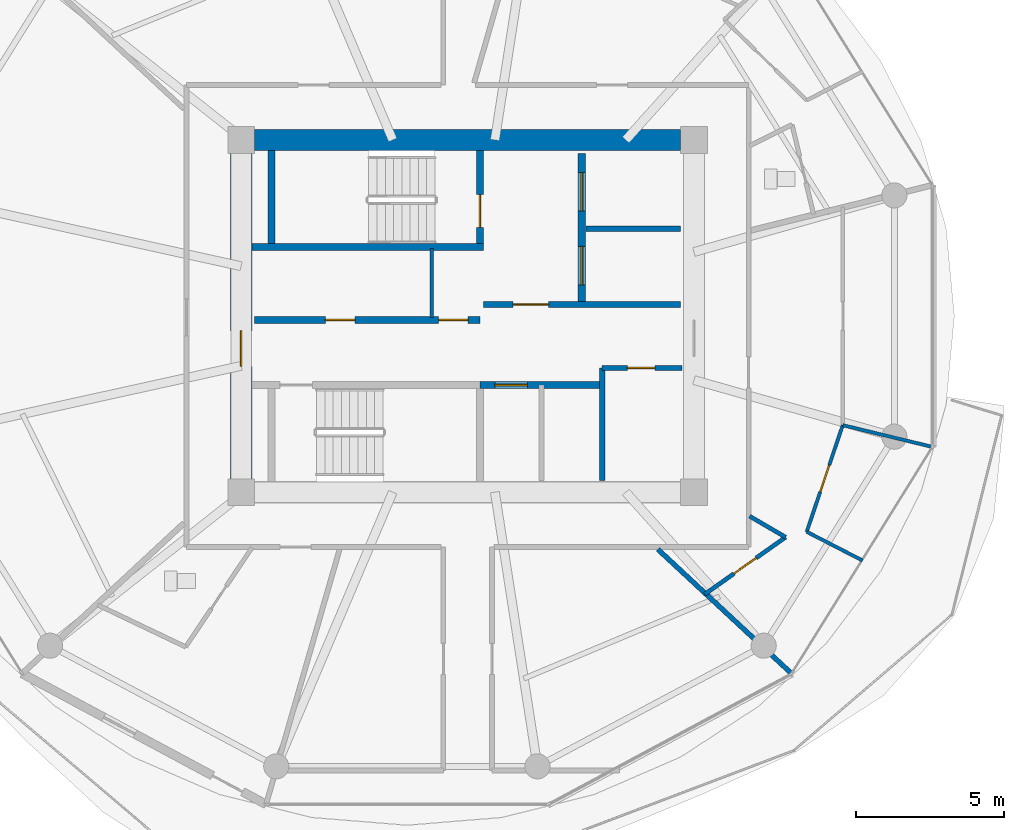
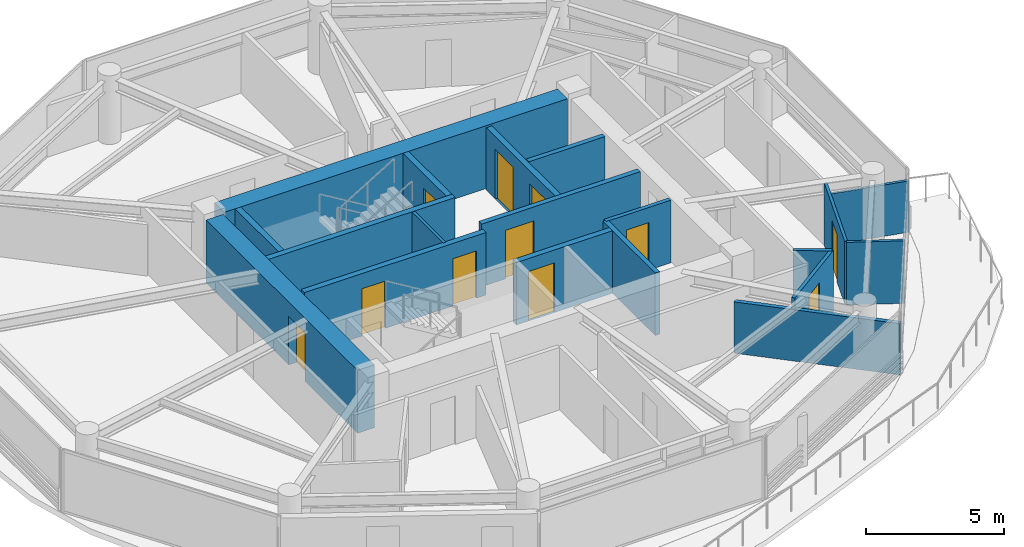
# One storey, part 16 of 25: 19 walls, 11 doors, 11 openings.
"""IFC4 building model written with IfcOpenShell, lengths in metres."""

from ifc_helpers import new_model, si_unit, direction, frame, frame_2d, origin, place, context, subcontext, project, spatial, rectangle, extrude, source, transform, mapped, material, layer, layer_set, type_object, type_shapes, element, fill, save


model = new_model("IFC4")

# Units and contexts
model_context = context("Model", 3, precision=1e-05, world=origin(), true_north=direction((0.0, 1.0)))
body_context = subcontext(model_context, "Body", "Model", "MODEL_VIEW")
ifc_project = project(units=[si_unit("LENGTHUNIT", "METRE"), si_unit("AREAUNIT", "SQUARE_METRE"), si_unit("VOLUMEUNIT", "CUBIC_METRE"), si_unit("PLANEANGLEUNIT", "RADIAN"), si_unit("MASSUNIT", "GRAM", prefix="KILO")], contexts=[model_context])

# Site, building, storey
site_placement = place(None, origin())
site = spatial("IfcSite", under=ifc_project, at=site_placement, CompositionType="ELEMENT")
building_placement = place(site_placement, origin())
building = spatial("IfcBuilding", under=site, at=building_placement, Name="Norrkilde Senior Care Towers", CompositionType="ELEMENT")
storey_placement = place(building_placement, frame((0.0, 0.0, 84.050048828125)))
storey = spatial("IfcBuildingStorey", under=building, at=storey_placement, Name="L25", CompositionType="ELEMENT", Elevation=84.050048828125)

# Wall
ifc_material_1 = material(Name="Concrete C60/75", Category="concrete")
ifc_layer_1 = layer(ifc_material_1, 0.719970703125)
ifc_layer_set_1 = layer_set([ifc_layer_1], Name="Concrete C60/75")
wall_type_1 = type_object("IfcWallType", Name="Core Shear Wall Z2 720", PredefinedType="SHEAR", material=ifc_layer_set_1)
shared_shape_1 = source(origin(), body_context, "Body", "SweptSolid", [
    extrude(rectangle(XDim=14.39990234375, YDim=0.719970703125, at=frame_2d((7.199951171875, 0.0))), origin(), (0.0, 0.0, 1.0), 2.7900390625),
])
wall_1_placement = place(storey_placement, frame((20.800048828125, 5.949951171875, 0.0), z_axis=(0.0, 0.0, 1.0), x_axis=(1.0, 0.0, 0.0)))
element("IfcWall", 1, at=wall_1_placement, inside=storey, type_object=wall_type_1, Name="L25 Core E North Shear Wall", PredefinedType="SHEAR", context=body_context, shape_type="MappedRepresentation", body=[
    mapped(shared_shape_1, transform((0.0, 0.0, 0.0), x_axis=(1.0, 0.0, 0.0), y_axis=(0.0, 1.0, 0.0), z_axis=(0.0, 0.0, 1.0), scale=1.0)),
])

# Wall, opening, door
shared_shape_2 = source(origin(), body_context, "Body", "SweptSolid", [
    extrude(rectangle(XDim=11.0, YDim=0.719970703125, at=frame_2d((5.5, 0.0))), origin(), (0.0, 0.0, 1.0), 2.7900390625),
])
type_shapes(wall_type_1, [shared_shape_1, shared_shape_2])
wall_2_placement = place(storey_placement, frame((20.35009765625, -5.5, 0.0), z_axis=(0.0, 0.0, 1.0), x_axis=(0.0, 1.0, 0.0)))
wall_2 = element("IfcWall", 2, at=wall_2_placement, inside=storey, type_object=wall_type_1, Name="L25 Core E West Shear Wall", PredefinedType="SHEAR", context=body_context, shape_type="MappedRepresentation", body=[
    mapped(shared_shape_2, transform((0.0, 0.0, 0.0), x_axis=(1.0, 0.0, 0.0), y_axis=(0.0, 1.0, 0.0), z_axis=(0.0, 0.0, 1.0), scale=1.0)),
])
opening_1_placement = place(wall_2_placement, frame((3.800048828125, 0.0, 0.0)))
opening_1 = element("IfcOpeningElement", 3, at=opening_1_placement, cuts=wall_2, Name="Opening D-04", PredefinedType="OPENING", context=body_context, shape_type="SweptSolid", body=[
    extrude(rectangle(XDim=1.199951171875, YDim=2.14990234375, at=frame_2d((0.60009765625, 1.074951171875))), frame((0.0, 0.369873046875, 0.0), z_axis=(0.0, -1.0, 0.0), x_axis=(1.0, 0.0, 0.0)), (0.0, 0.0, 1.0), 0.739990234375),
])
ifc_material_2 = material(Name="Galvanised Painted Steel", Category="steel")
door_type_1 = type_object("IfcDoorType", Name="Firefighting Lobby Fire Door 1200x2150", OperationType="NOTDEFINED", PredefinedType="DOOR", material=ifc_material_2)
shared_shape_3 = source(origin(), body_context, "Body", "SweptSolid", [
    extrude(rectangle(XDim=1.199951171875, YDim=2.14990234375, at=frame_2d((0.60009765625, 1.074951171875))), frame((0.0, 0.02490234375, 0.0), z_axis=(0.0, -1.0, 0.0), x_axis=(1.0, 0.0, 0.0)), (0.0, 0.0, 1.0), 0.050048828125),
])
type_shapes(door_type_1, [shared_shape_3])
door_1_placement = place(opening_1_placement, frame((1.199951171875, 0.0, 0.0), z_axis=(0.0, 0.0, 1.0), x_axis=(-1.0, 0.0, 0.0)))
door_1 = element("IfcDoor", 4, at=door_1_placement, inside=storey, type_object=door_type_1, Name="L25 Core E West Portal Door", OperationType="SINGLE_SWING_LEFT", OverallHeight=2.14990234375, OverallWidth=1.199951171875, PredefinedType="DOOR", context=body_context, shape_type="MappedRepresentation", body=[
    mapped(shared_shape_3, transform((0.0, 0.0, 0.0), x_axis=(1.0, 0.0, 0.0), y_axis=(0.0, 1.0, 0.0), z_axis=(0.0, 0.0, 1.0), scale=1.0)),
])
fill(opening_1, door_1)

# Wall, openings, doors
ifc_material_3 = material(Name="Concrete C45/55", Category="concrete")
ifc_layer_2 = layer(ifc_material_3, 0.239990234375)
ifc_layer_set_2 = layer_set([ifc_layer_2], Name="Concrete C45/55")
wall_type_2 = type_object("IfcWallType", Name="Lift and Plant Rated Enclosure Partition 240", PredefinedType="PARTITIONING", material=ifc_layer_set_2)
shared_shape_4 = source(origin(), body_context, "Body", "SweptSolid", [
    extrude(rectangle(XDim=5.0, YDim=0.239990234375, at=frame_2d((2.5, 0.0))), origin(), (0.0, 0.0, 1.0), 2.77490234375),
])
wall_3_placement = place(storey_placement, frame((31.860107421875, 0.5, 0.0), z_axis=(0.0, 0.0, 1.0), x_axis=(0.0, 1.0, 0.0)))
wall_3 = element("IfcWall", 5, at=wall_3_placement, inside=storey, type_object=wall_type_2, Name="WL-INT-L25-E-FFLE", PredefinedType="PARTITIONING", context=body_context, shape_type="MappedRepresentation", body=[
    mapped(shared_shape_4, transform((0.0, 0.0, 0.0), x_axis=(1.0, 0.0, 0.0), y_axis=(0.0, 1.0, 0.0), z_axis=(0.0, 0.0, 1.0), scale=1.0)),
])
opening_2_placement = place(wall_3_placement, frame((3.050048828125, 0.0, 0.0)))
opening_2 = element("IfcOpeningElement", 6, at=opening_2_placement, cuts=wall_3, Name="Opening LD-02", PredefinedType="OPENING", context=body_context, shape_type="SweptSolid", body=[
    extrude(rectangle(XDim=1.300048828125, YDim=2.199951171875, at=frame_2d((0.64990234375, 1.10009765625))), frame((0.0, 0.1298828125, 0.0), z_axis=(0.0, -1.0, 0.0), x_axis=(1.0, 0.0, 0.0)), (0.0, 0.0, 1.0), 0.260009765625),
])
opening_3_placement = place(wall_3_placement, frame((0.550048828125, 0.0, 0.0)))
opening_3 = element("IfcOpeningElement", 7, at=opening_3_placement, cuts=wall_3, Name="Opening LD-02", PredefinedType="OPENING", context=body_context, shape_type="SweptSolid", body=[
    extrude(rectangle(XDim=1.300048828125, YDim=2.199951171875, at=frame_2d((0.64990234375, 1.10009765625))), frame((0.0, 0.1298828125, 0.0), z_axis=(0.0, -1.0, 0.0), x_axis=(1.0, 0.0, 0.0)), (0.0, 0.0, 1.0), 0.260009765625),
])
ifc_material_4 = material(Name="Stainless Steel", Category="steel")
door_type_2 = type_object("IfcDoorType", Name="Stretcher and FFL Landing Sliding Door 1300x2200", OperationType="NOTDEFINED", PredefinedType="DOOR", material=ifc_material_4)
shared_shape_5 = source(origin(), body_context, "Body", "SweptSolid", [
    extrude(rectangle(XDim=1.300048828125, YDim=2.199951171875, at=frame_2d((0.64990234375, 1.10009765625))), frame((0.0, 0.02490234375, 0.0), z_axis=(0.0, -1.0, 0.0), x_axis=(1.0, 0.0, 0.0)), (0.0, 0.0, 1.0), 0.050048828125),
])
type_shapes(door_type_2, [shared_shape_5])
door_2_placement = place(opening_2_placement, origin())
door_2 = element("IfcDoor", 8, at=door_2_placement, inside=storey, type_object=door_type_2, Name="L25 Firefighting Lift E1 Landing Door", OperationType="SLIDING_TO_LEFT", OverallHeight=2.199951171875, OverallWidth=1.300048828125, PredefinedType="DOOR", context=body_context, shape_type="MappedRepresentation", body=[
    mapped(shared_shape_5, transform((0.0, 0.0, 0.0), x_axis=(1.0, 0.0, 0.0), y_axis=(0.0, 1.0, 0.0), z_axis=(0.0, 0.0, 1.0), scale=1.0)),
])
fill(opening_2, door_2)
door_3_placement = place(opening_3_placement, origin())
door_3 = element("IfcDoor", 9, at=door_3_placement, inside=storey, type_object=door_type_2, Name="L25 Stretcher Lift E1 Landing Door", OperationType="SLIDING_TO_RIGHT", OverallHeight=2.199951171875, OverallWidth=1.300048828125, PredefinedType="DOOR", context=body_context, shape_type="MappedRepresentation", body=[
    mapped(shared_shape_5, transform((0.0, 0.0, 0.0), x_axis=(1.0, 0.0, 0.0), y_axis=(0.0, 1.0, 0.0), z_axis=(0.0, 0.0, 1.0), scale=1.0)),
])
fill(opening_3, door_3)

# Wall
ifc_layer_3 = layer(ifc_material_3, 0.199951171875)
ifc_layer_set_3 = layer_set([ifc_layer_3], Name="Concrete C45/55")
wall_type_3 = type_object("IfcWallType", Name="Shaft Division and Plant Partition 200", PredefinedType="PARTITIONING", material=ifc_layer_set_3)
shared_shape_6 = source(origin(), body_context, "Body", "SweptSolid", [
    extrude(rectangle(XDim=3.199951171875, YDim=0.199951171875, at=frame_2d((1.60009765625, 0.0))), origin(), (0.0, 0.0, 1.0), 2.77490234375),
])
wall_4_placement = place(storey_placement, frame((32.0, 2.949951171875, 0.0), z_axis=(0.0, 0.0, 1.0), x_axis=(1.0, 0.0, 0.0)))
element("IfcWall", 10, at=wall_4_placement, inside=storey, type_object=wall_type_3, Name="WL-INT-L25-E-FFLDIV", PredefinedType="PARTITIONING", context=body_context, shape_type="MappedRepresentation", body=[
    mapped(shared_shape_6, transform((0.0, 0.0, 0.0), x_axis=(1.0, 0.0, 0.0), y_axis=(0.0, 1.0, 0.0), z_axis=(0.0, 0.0, 1.0), scale=1.0)),
])

# Wall, opening, door
ifc_layer_4 = layer(ifc_material_3, 0.2099609375)
ifc_layer_set_4 = layer_set([ifc_layer_4], Name="Concrete C45/55")
wall_type_4 = type_object("IfcWallType", Name="Firefighting Lobby Wall 210", PredefinedType="PARTITIONING", material=ifc_layer_set_4)
shared_shape_7 = source(origin(), body_context, "Body", "SweptSolid", [
    extrude(rectangle(XDim=6.659912109375, YDim=0.2099609375, at=frame_2d((3.330078125, 0.0))), origin(), (0.0, 0.0, 1.0), 2.77490234375),
])
type_shapes(wall_type_4, [shared_shape_7])
wall_5_placement = place(storey_placement, frame((28.5400390625, 0.389892578125, 0.0), z_axis=(0.0, 0.0, 1.0), x_axis=(1.0, 0.0, 0.0)))
wall_5 = element("IfcWall", 11, at=wall_5_placement, inside=storey, type_object=wall_type_4, Name="WL-INT-L25-E-FFLS", PredefinedType="PARTITIONING", context=body_context, shape_type="MappedRepresentation", body=[
    mapped(shared_shape_7, transform((0.0, 0.0, 0.0), x_axis=(1.0, 0.0, 0.0), y_axis=(0.0, 1.0, 0.0), z_axis=(0.0, 0.0, 1.0), scale=1.0)),
])
opening_4_placement = place(wall_5_placement, frame((1.0, 0.0, 0.0)))
opening_4 = element("IfcOpeningElement", 12, at=opening_4_placement, cuts=wall_5, Name="Opening D-04", PredefinedType="OPENING", context=body_context, shape_type="SweptSolid", body=[
    extrude(rectangle(XDim=1.199951171875, YDim=2.14990234375, at=frame_2d((0.60009765625, 1.074951171875))), frame((0.0, 0.114990234375, 0.0), z_axis=(0.0, -1.0, 0.0), x_axis=(1.0, 0.0, 0.0)), (0.0, 0.0, 1.0), 0.22998046875),
])
door_4_placement = place(opening_4_placement, frame((1.199951171875, 0.0, 0.0), z_axis=(0.0, 0.0, 1.0), x_axis=(-1.0, 0.0, 0.0)))
door_4 = element("IfcDoor", 13, at=door_4_placement, inside=storey, type_object=door_type_1, Name="L25 Firefighting Lobby E Door", OperationType="SINGLE_SWING_LEFT", OverallHeight=2.14990234375, OverallWidth=1.199951171875, PredefinedType="DOOR", context=body_context, shape_type="MappedRepresentation", body=[
    mapped(shared_shape_3, transform((0.0, 0.0, 0.0), x_axis=(1.0, 0.0, 0.0), y_axis=(0.0, 1.0, 0.0), z_axis=(0.0, 0.0, 1.0), scale=1.0)),
])
fill(opening_4, door_4)

# Wall, openings, doors
shared_shape_8 = source(origin(), body_context, "Body", "SweptSolid", [
    extrude(rectangle(XDim=7.619873046875, YDim=0.239990234375, at=frame_2d((3.81005859375, 0.0))), origin(), (0.0, 0.0, 1.0), 2.77490234375),
])
wall_6_placement = place(storey_placement, frame((20.800048828125, -0.1298828125, 0.0), z_axis=(0.0, 0.0, 1.0), x_axis=(1.0, 0.0, 0.0)))
wall_6 = element("IfcWall", 14, at=wall_6_placement, inside=storey, type_object=wall_type_2, Name="WL-INT-L25-E-PKAS", PredefinedType="PARTITIONING", context=body_context, shape_type="MappedRepresentation", body=[
    mapped(shared_shape_8, transform((0.0, 0.0, 0.0), x_axis=(1.0, 0.0, 0.0), y_axis=(0.0, 1.0, 0.0), z_axis=(0.0, 0.0, 1.0), scale=1.0)),
])
opening_5_placement = place(wall_6_placement, frame((6.219970703125, 0.0, 0.0)))
opening_5 = element("IfcOpeningElement", 15, at=opening_5_placement, cuts=wall_6, Name="Opening D-10", PredefinedType="OPENING", context=body_context, shape_type="SweptSolid", body=[
    extrude(rectangle(XDim=1.0, YDim=2.10009765625, at=frame_2d((0.5, 1.050048828125))), frame((0.0, 0.1298828125, 0.0), z_axis=(0.0, -1.0, 0.0), x_axis=(1.0, 0.0, 0.0)), (0.0, 0.0, 1.0), 0.260009765625),
])
opening_6_placement = place(wall_6_placement, frame((2.39990234375, 0.0, 0.0)))
opening_6 = element("IfcOpeningElement", 16, at=opening_6_placement, cuts=wall_6, Name="Opening D-10", PredefinedType="OPENING", context=body_context, shape_type="SweptSolid", body=[
    extrude(rectangle(XDim=1.0, YDim=2.10009765625, at=frame_2d((0.5, 1.050048828125))), frame((0.0, 0.1298828125, 0.0), z_axis=(0.0, -1.0, 0.0), x_axis=(1.0, 0.0, 0.0)), (0.0, 0.0, 1.0), 0.260009765625),
])
door_type_3 = type_object("IfcDoorType", Name="Plant and Riser Rated Door 1000x2100", OperationType="NOTDEFINED", PredefinedType="DOOR", material=ifc_material_2)
shared_shape_9 = source(origin(), body_context, "Body", "SweptSolid", [
    extrude(rectangle(XDim=1.0, YDim=2.10009765625, at=frame_2d((0.5, 1.050048828125))), frame((0.0, 0.02490234375, 0.0), z_axis=(0.0, -1.0, 0.0), x_axis=(1.0, 0.0, 0.0)), (0.0, 0.0, 1.0), 0.050048828125),
])
type_shapes(door_type_3, [shared_shape_9])
door_5_placement = place(opening_5_placement, frame((1.0, 0.0, 0.0), z_axis=(0.0, 0.0, 1.0), x_axis=(-1.0, 0.0, 0.0)))
door_5 = element("IfcDoor", 17, at=door_5_placement, inside=storey, type_object=door_type_3, Name="L25 Electrical Riser E Door", OperationType="SINGLE_SWING_LEFT", OverallHeight=2.10009765625, OverallWidth=1.0, PredefinedType="DOOR", context=body_context, shape_type="MappedRepresentation", body=[
    mapped(shared_shape_9, transform((0.0, 0.0, 0.0), x_axis=(1.0, 0.0, 0.0), y_axis=(0.0, 1.0, 0.0), z_axis=(0.0, 0.0, 1.0), scale=1.0)),
])
fill(opening_5, door_5)
door_6_placement = place(opening_6_placement, frame((1.0, 0.0, 0.0), z_axis=(0.0, 0.0, 1.0), x_axis=(-1.0, 0.0, 0.0)))
door_6 = element("IfcDoor", 18, at=door_6_placement, inside=storey, type_object=door_type_3, Name="L25 Clean Supply Store E Door", OperationType="SINGLE_SWING_LEFT", OverallHeight=2.10009765625, OverallWidth=1.0, PredefinedType="DOOR", context=body_context, shape_type="MappedRepresentation", body=[
    mapped(shared_shape_9, transform((0.0, 0.0, 0.0), x_axis=(1.0, 0.0, 0.0), y_axis=(0.0, 1.0, 0.0), z_axis=(0.0, 0.0, 1.0), scale=1.0)),
])
fill(opening_6, door_6)

# Walls
ifc_material_5 = material(Name="Gypsum Acoustic Board")
ifc_layer_5 = layer(ifc_material_5, 0.114990234375)
ifc_layer_set_5 = layer_set([ifc_layer_5], Name="Gypsum Acoustic Board")
wall_type_5 = type_object("IfcWallType", Name="Internal Room Partition 115", PredefinedType="PARTITIONING", material=ifc_layer_set_5)
shared_shape_10 = source(origin(), body_context, "Body", "SweptSolid", [
    extrude(rectangle(XDim=2.330078125, YDim=0.114990234375, at=frame_2d((1.1650390625, 0.0))), origin(), (0.0, 0.0, 1.0), 2.77490234375),
])
wall_7_placement = place(storey_placement, frame((26.7900390625, -0.050048828125, 0.0), z_axis=(0.0, 0.0, 1.0), x_axis=(0.0, 1.0, 0.0)))
element("IfcWall", 19, at=wall_7_placement, inside=storey, type_object=wall_type_5, Name="WL-INT-L25-E-RISW", PredefinedType="PARTITIONING", context=body_context, shape_type="MappedRepresentation", body=[
    mapped(shared_shape_10, transform((0.0, 0.0, 0.0), x_axis=(1.0, 0.0, 0.0), y_axis=(0.0, 1.0, 0.0), z_axis=(0.0, 0.0, 1.0), scale=1.0)),
])
shared_shape_11 = source(origin(), body_context, "Body", "SweptSolid", [
    extrude(rectangle(XDim=3.800048828125, YDim=0.199951171875, at=frame_2d((1.89990234375, 0.0))), origin(), (0.0, 0.0, 1.0), 2.77490234375),
])
type_shapes(wall_type_3, [shared_shape_6, shared_shape_11])
wall_8_placement = place(storey_placement, frame((32.550048828125, -5.550048828125, 0.0), z_axis=(0.0, 0.0, 1.0), x_axis=(0.0, 1.0, 0.0)))
element("IfcWall", 20, at=wall_8_placement, inside=storey, type_object=wall_type_3, Name="WL-INT-L25-E-PKBE", PredefinedType="PARTITIONING", context=body_context, shape_type="MappedRepresentation", body=[
    mapped(shared_shape_11, transform((0.0, 0.0, 0.0), x_axis=(1.0, 0.0, 0.0), y_axis=(0.0, 1.0, 0.0), z_axis=(0.0, 0.0, 1.0), scale=1.0)),
])

# Wall, opening, door
shared_shape_12 = source(origin(), body_context, "Body", "SweptSolid", [
    extrude(rectangle(XDim=4.130126953125, YDim=0.239990234375, at=frame_2d((2.06494140625, 0.0))), origin(), (0.0, 0.0, 1.0), 2.77490234375),
])
type_shapes(wall_type_2, [shared_shape_4, shared_shape_8, shared_shape_12])
wall_9_placement = place(storey_placement, frame((28.419921875, -2.330078125, 0.0), z_axis=(0.0, 0.0, 1.0), x_axis=(1.0, 0.0, 0.0)))
wall_9 = element("IfcWall", 21, at=wall_9_placement, inside=storey, type_object=wall_type_2, Name="WL-INT-L25-E-PKBN", PredefinedType="PARTITIONING", context=body_context, shape_type="MappedRepresentation", body=[
    mapped(shared_shape_12, transform((0.0, 0.0, 0.0), x_axis=(1.0, 0.0, 0.0), y_axis=(0.0, 1.0, 0.0), z_axis=(0.0, 0.0, 1.0), scale=1.0)),
])
opening_7_placement = place(wall_9_placement, frame((0.5, 0.0, 0.0)))
opening_7 = element("IfcOpeningElement", 22, at=opening_7_placement, cuts=wall_9, Name="Opening LD-01", PredefinedType="OPENING", context=body_context, shape_type="SweptSolid", body=[
    extrude(rectangle(XDim=1.10009765625, YDim=2.199951171875, at=frame_2d((0.550048828125, 1.10009765625))), frame((0.0, 0.1298828125, 0.0), z_axis=(0.0, -1.0, 0.0), x_axis=(1.0, 0.0, 0.0)), (0.0, 0.0, 1.0), 0.260009765625),
])
door_type_4 = type_object("IfcDoorType", Name="Lift Landing Sliding Door 1100x2200", OperationType="NOTDEFINED", PredefinedType="DOOR", material=ifc_material_4)
shared_shape_13 = source(origin(), body_context, "Body", "SweptSolid", [
    extrude(rectangle(XDim=1.10009765625, YDim=2.199951171875, at=frame_2d((0.550048828125, 1.10009765625))), frame((0.0, 0.02490234375, 0.0), z_axis=(0.0, -1.0, 0.0), x_axis=(1.0, 0.0, 0.0)), (0.0, 0.0, 1.0), 0.050048828125),
])
type_shapes(door_type_4, [shared_shape_13])
door_7_placement = place(opening_7_placement, frame((1.10009765625, 0.0, 0.0), z_axis=(0.0, 0.0, 1.0), x_axis=(-1.0, 0.0, 0.0)))
door_7 = element("IfcDoor", 23, at=door_7_placement, inside=storey, type_object=door_type_4, Name="L25 Passenger Lift E3 Landing Door", OperationType="SLIDING_TO_LEFT", OverallHeight=2.199951171875, OverallWidth=1.10009765625, PredefinedType="DOOR", context=body_context, shape_type="MappedRepresentation", body=[
    mapped(shared_shape_13, transform((0.0, 0.0, 0.0), x_axis=(1.0, 0.0, 0.0), y_axis=(0.0, 1.0, 0.0), z_axis=(0.0, 0.0, 1.0), scale=1.0)),
])
fill(opening_7, door_7)

ifc_layer_6 = layer(ifc_material_5, 0.1650390625)
ifc_layer_set_6 = layer_set([ifc_layer_6], Name="Gypsum Acoustic Board")
wall_type_6 = type_object("IfcWallType", Name="Corridor Rated Partition 165", PredefinedType="PARTITIONING", material=ifc_layer_set_6)
shared_shape_14 = source(origin(), body_context, "Body", "SweptSolid", [
    extrude(rectangle(XDim=2.699951171875, YDim=0.1650390625, at=frame_2d((1.35009765625, 0.0))), origin(), (0.0, 0.0, 1.0), 2.77490234375),
])
wall_10_placement = place(storey_placement, frame((32.550048828125, -1.75, 0.0), z_axis=(0.0, 0.0, 1.0), x_axis=(1.0, 0.0, 0.0)))
wall_10 = element("IfcWall", 24, at=wall_10_placement, inside=storey, type_object=wall_type_6, Name="WL-INT-L25-E-CSN", PredefinedType="PARTITIONING", context=body_context, shape_type="MappedRepresentation", body=[
    mapped(shared_shape_14, transform((0.0, 0.0, 0.0), x_axis=(1.0, 0.0, 0.0), y_axis=(0.0, 1.0, 0.0), z_axis=(0.0, 0.0, 1.0), scale=1.0)),
])
opening_8_placement = place(wall_10_placement, frame((0.85009765625, 0.0, 0.0)))
opening_8 = element("IfcOpeningElement", 25, at=opening_8_placement, cuts=wall_10, Name="Opening D-12", PredefinedType="OPENING", context=body_context, shape_type="SweptSolid", body=[
    extrude(rectangle(XDim=0.925048828125, YDim=2.10009765625, at=frame_2d((0.46240234375, 1.050048828125))), frame((0.0, 0.092529296875, 0.0), z_axis=(0.0, -1.0, 0.0), x_axis=(1.0, 0.0, 0.0)), (0.0, 0.0, 1.0), 0.18505859375),
])
door_type_5 = type_object("IfcDoorType", Name="Core Wet Room Rated Door 925x2100", OperationType="NOTDEFINED", PredefinedType="DOOR", material=ifc_material_2)
shared_shape_15 = source(origin(), body_context, "Body", "SweptSolid", [
    extrude(rectangle(XDim=0.925048828125, YDim=2.10009765625, at=frame_2d((0.46240234375, 1.050048828125))), frame((0.0, 0.02490234375, 0.0), z_axis=(0.0, -1.0, 0.0), x_axis=(1.0, 0.0, 0.0)), (0.0, 0.0, 1.0), 0.050048828125),
])
type_shapes(door_type_5, [shared_shape_15])
door_8_placement = place(opening_8_placement, origin())
door_8 = element("IfcDoor", 26, at=door_8_placement, inside=storey, type_object=door_type_5, Name="L25 Core Utility E Door", OperationType="SINGLE_SWING_LEFT", OverallHeight=2.10009765625, OverallWidth=0.925048828125, PredefinedType="DOOR", context=body_context, shape_type="MappedRepresentation", body=[
    mapped(shared_shape_15, transform((0.0, 0.0, 0.0), x_axis=(1.0, 0.0, 0.0), y_axis=(0.0, 1.0, 0.0), z_axis=(0.0, 0.0, 1.0), scale=1.0)),
])
fill(opening_8, door_8)

# Walls
ifc_layer_7 = layer(ifc_material_3, 0.239990234375)
ifc_layer_set_7 = layer_set([ifc_layer_7], Name="Concrete C45/55")
wall_type_7 = type_object("IfcWallType", Name="Shaft and Stair Enclosure Wall 240", PredefinedType="PARTITIONING", material=ifc_layer_set_7)
shared_shape_16 = source(origin(), body_context, "Body", "SweptSolid", [
    extrude(rectangle(XDim=7.830078125, YDim=0.239990234375, at=frame_2d((3.9150390625, 0.0))), origin(), (0.0, 0.0, 1.0), 2.7900390625),
])
wall_11_placement = place(storey_placement, frame((20.7099609375, 2.330078125, 0.0), z_axis=(0.0, 0.0, 1.0), x_axis=(1.0, 0.0, 0.0)))
element("IfcWall", 27, at=wall_11_placement, inside=storey, type_object=wall_type_7, Name="WL-INT-L25-E-ST1S", PredefinedType="PARTITIONING", context=body_context, shape_type="MappedRepresentation", body=[
    mapped(shared_shape_16, transform((0.0, 0.0, 0.0), x_axis=(1.0, 0.0, 0.0), y_axis=(0.0, 1.0, 0.0), z_axis=(0.0, 0.0, 1.0), scale=1.0)),
])
shared_shape_17 = source(origin(), body_context, "Body", "SweptSolid", [
    extrude(rectangle(XDim=3.14013671875, YDim=0.239990234375, at=frame_2d((1.570068359375, 0.0))), origin(), (0.0, 0.0, 1.0), 2.7900390625),
])
type_shapes(wall_type_7, [shared_shape_16, shared_shape_17])
wall_12_placement = place(storey_placement, frame((21.3798828125, 2.449951171875, 0.0), z_axis=(0.0, 0.0, 1.0), x_axis=(0.0, 1.0, 0.0)))
element("IfcWall", 28, at=wall_12_placement, inside=storey, type_object=wall_type_7, Name="WL-INT-L25-E-ST1W", PredefinedType="PARTITIONING", context=body_context, shape_type="MappedRepresentation", body=[
    mapped(shared_shape_17, transform((0.0, 0.0, 0.0), x_axis=(1.0, 0.0, 0.0), y_axis=(0.0, 1.0, 0.0), z_axis=(0.0, 0.0, 1.0), scale=1.0)),
])

# Wall, opening, door
wall_13_placement = place(storey_placement, frame((28.419921875, 2.449951171875, 0.0), z_axis=(0.0, 0.0, 1.0), x_axis=(0.0, 1.0, 0.0)))
wall_13 = element("IfcWall", 29, at=wall_13_placement, inside=storey, type_object=wall_type_7, Name="WL-INT-L25-E-ST1E", PredefinedType="PARTITIONING", context=body_context, shape_type="MappedRepresentation", body=[
    mapped(shared_shape_17, transform((0.0, 0.0, 0.0), x_axis=(1.0, 0.0, 0.0), y_axis=(0.0, 1.0, 0.0), z_axis=(0.0, 0.0, 1.0), scale=1.0)),
])
opening_9_placement = place(wall_13_placement, frame((0.550048828125, 0.0, 0.0)))
opening_9 = element("IfcOpeningElement", 30, at=opening_9_placement, cuts=wall_13, Name="Opening D-03", PredefinedType="OPENING", context=body_context, shape_type="SweptSolid", body=[
    extrude(rectangle(XDim=1.10009765625, YDim=2.14990234375, at=frame_2d((0.550048828125, 1.074951171875))), frame((0.0, 0.1298828125, 0.0), z_axis=(0.0, -1.0, 0.0), x_axis=(1.0, 0.0, 0.0)), (0.0, 0.0, 1.0), 0.260009765625),
])
door_type_6 = type_object("IfcDoorType", Name="Stairwell Protected Fire Door 1100x2150", OperationType="NOTDEFINED", PredefinedType="DOOR", material=ifc_material_2)
shared_shape_18 = source(origin(), body_context, "Body", "SweptSolid", [
    extrude(rectangle(XDim=1.10009765625, YDim=2.14990234375, at=frame_2d((0.550048828125, 1.074951171875))), frame((0.0, 0.02490234375, 0.0), z_axis=(0.0, -1.0, 0.0), x_axis=(1.0, 0.0, 0.0)), (0.0, 0.0, 1.0), 0.050048828125),
])
type_shapes(door_type_6, [shared_shape_18])
door_9_placement = place(opening_9_placement, origin())
door_9 = element("IfcDoor", 31, at=door_9_placement, inside=storey, type_object=door_type_6, Name="L25 Stair E1 Fire Door", OperationType="SINGLE_SWING_LEFT", OverallHeight=2.14990234375, OverallWidth=1.10009765625, PredefinedType="DOOR", context=body_context, shape_type="MappedRepresentation", body=[
    mapped(shared_shape_18, transform((0.0, 0.0, 0.0), x_axis=(1.0, 0.0, 0.0), y_axis=(0.0, 1.0, 0.0), z_axis=(0.0, 0.0, 1.0), scale=1.0)),
])
fill(opening_9, door_9)

# Walls
shared_shape_19 = source(origin(), body_context, "Body", "SweptSolid", [
    extrude(rectangle(XDim=6.186767578125, YDim=0.1650390625, at=frame_2d((3.09326171875, 0.0))), origin(), (0.0, 0.0, 1.0), 2.27490234375),
])
type_shapes(wall_type_6, [shared_shape_14, shared_shape_19])
wall_14_placement = place(storey_placement, frame((34.428955078125, -7.8798828125, 0.0), z_axis=(0.0, 0.0, 1.0), x_axis=(0.732501077882, -0.680765870841, 0.0)))
element("IfcWall", 32, at=wall_14_placement, inside=storey, type_object=wall_type_6, Name="WL-INT-L25-E-DEM-10-0", PredefinedType="PARTITIONING", context=body_context, shape_type="MappedRepresentation", body=[
    mapped(shared_shape_19, transform((0.0, 0.0, 0.0), x_axis=(1.0, 0.0, 0.0), y_axis=(0.0, 1.0, 0.0), z_axis=(0.0, 0.0, 1.0), scale=1.0)),
])
ifc_layer_8 = layer(ifc_material_5, 0.139892578125)
ifc_layer_set_8 = layer_set([ifc_layer_8], Name="Gypsum Acoustic Board")
wall_type_8 = type_object("IfcWallType", Name="En-suite Wet Room Wall 140", PredefinedType="PARTITIONING", material=ifc_layer_set_8)
shared_shape_20 = source(origin(), body_context, "Body", "SweptSolid", [
    extrude(rectangle(XDim=1.407470703125, YDim=0.139892578125, at=frame_2d((0.70361328125, 0.0))), origin(), (0.0, 0.0, 1.0), 2.77490234375),
])
wall_15_placement = place(storey_placement, frame((37.530029296875, -6.761962890625, 0.0), z_axis=(0.0, 0.0, 1.0), x_axis=(0.863539718977, -0.504280828258, 0.0)))
element("IfcWall", 33, at=wall_15_placement, inside=storey, type_object=wall_type_8, Name="WL-INT-L25-E-UBTS-10", PredefinedType="PARTITIONING", context=body_context, shape_type="MappedRepresentation", body=[
    mapped(shared_shape_20, transform((0.0, 0.0, 0.0), x_axis=(1.0, 0.0, 0.0), y_axis=(0.0, 1.0, 0.0), z_axis=(0.0, 0.0, 1.0), scale=1.0)),
])

# Wall, opening, door
shared_shape_21 = source(origin(), body_context, "Body", "SweptSolid", [
    extrude(rectangle(XDim=3.346923828125, YDim=0.139892578125, at=frame_2d((1.67333984375, 0.0))), origin(), (0.0, 0.0, 1.0), 2.77490234375),
])
type_shapes(wall_type_8, [shared_shape_20, shared_shape_21])
wall_16_placement = place(storey_placement, frame((38.745361328125, -7.4716796875, 0.0), z_axis=(0.0, 0.0, 1.0), x_axis=(-0.81705680263, -0.576557179537, 0.0)))
wall_16 = element("IfcWall", 34, at=wall_16_placement, inside=storey, type_object=wall_type_8, Name="WL-INT-L25-E-UBTF-10", PredefinedType="PARTITIONING", context=body_context, shape_type="MappedRepresentation", body=[
    mapped(shared_shape_21, transform((0.0, 0.0, 0.0), x_axis=(1.0, 0.0, 0.0), y_axis=(0.0, 1.0, 0.0), z_axis=(0.0, 0.0, 1.0), scale=1.0)),
])
opening_10_placement = place(wall_16_placement, frame((1.213623046875, 0.0, 0.0)))
opening_10 = element("IfcOpeningElement", 35, at=opening_10_placement, cuts=wall_16, Name="Opening D-08", PredefinedType="OPENING", context=body_context, shape_type="SweptSolid", body=[
    extrude(rectangle(XDim=0.919921875, YDim=2.10009765625, at=frame_2d((0.4599609375, 1.050048828125))), frame((0.0, 0.079833984375, 0.0), z_axis=(0.0, -1.0, 0.0), x_axis=(1.0, 0.0, 0.0)), (0.0, 0.0, 1.0), 0.159912109375),
])
ifc_material_6 = material(Name="Nordic Ash Timber", Category="wood")
door_type_7 = type_object("IfcDoorType", Name="Accessible Wet Room Door 920x2100", OperationType="NOTDEFINED", PredefinedType="DOOR", material=ifc_material_6)
shared_shape_22 = source(origin(), body_context, "Body", "SweptSolid", [
    extrude(rectangle(XDim=0.919921875, YDim=2.10009765625, at=frame_2d((0.4599609375, 1.050048828125))), frame((0.0, 0.02490234375, 0.0), z_axis=(0.0, -1.0, 0.0), x_axis=(1.0, 0.0, 0.0)), (0.0, 0.0, 1.0), 0.050048828125),
])
type_shapes(door_type_7, [shared_shape_22])
door_10_placement = place(opening_10_placement, origin())
door_10 = element("IfcDoor", 36, at=door_10_placement, inside=storey, type_object=door_type_7, Name="Apartment 25C Bathroom Door", OperationType="SINGLE_SWING_RIGHT", OverallHeight=2.10009765625, OverallWidth=0.919921875, PredefinedType="DOOR", context=body_context, shape_type="MappedRepresentation", body=[
    mapped(shared_shape_22, transform((0.0, 0.0, 0.0), x_axis=(1.0, 0.0, 0.0), y_axis=(0.0, 1.0, 0.0), z_axis=(0.0, 0.0, 1.0), scale=1.0)),
])
fill(opening_10, door_10)

# Walls
shared_shape_23 = source(origin(), body_context, "Body", "SweptSolid", [
    extrude(rectangle(XDim=3.13330078125, YDim=0.114990234375, at=frame_2d((1.566650390625, 0.0))), origin(), (0.0, 0.0, 1.0), 2.27490234375),
])
wall_17_placement = place(storey_placement, frame((40.677978515625, -3.687744140625, 0.0), z_axis=(0.0, 0.0, 1.0), x_axis=(0.971863619682, -0.235544273414, 0.0)))
element("IfcWall", 37, at=wall_17_placement, inside=storey, type_object=wall_type_5, Name="WL-INT-L25-E-UBR-10-1", PredefinedType="PARTITIONING", context=body_context, shape_type="MappedRepresentation", body=[
    mapped(shared_shape_23, transform((0.0, 0.0, 0.0), x_axis=(1.0, 0.0, 0.0), y_axis=(0.0, 1.0, 0.0), z_axis=(0.0, 0.0, 1.0), scale=1.0)),
])
shared_shape_24 = source(origin(), body_context, "Body", "SweptSolid", [
    extrude(rectangle(XDim=2.1171875, YDim=0.114990234375, at=frame_2d((1.05859375, 0.0))), origin(), (0.0, 0.0, 1.0), 2.77490234375),
])
wall_18_placement = place(storey_placement, frame((39.459716796875, -7.288818359375, 0.0), z_axis=(0.0, 0.0, 1.0), x_axis=(0.888941834945, -0.45802010227, 0.0)))
element("IfcWall", 38, at=wall_18_placement, inside=storey, type_object=wall_type_5, Name="WL-INT-L25-E-UKTS-10", PredefinedType="PARTITIONING", context=body_context, shape_type="MappedRepresentation", body=[
    mapped(shared_shape_24, transform((0.0, 0.0, 0.0), x_axis=(1.0, 0.0, 0.0), y_axis=(0.0, 1.0, 0.0), z_axis=(0.0, 0.0, 1.0), scale=1.0)),
])

# Wall, opening, door
shared_shape_25 = source(origin(), body_context, "Body", "SweptSolid", [
    extrude(rectangle(XDim=3.80126953125, YDim=0.114990234375, at=frame_2d((1.900634765625, 0.0))), origin(), (0.0, 0.0, 1.0), 2.77490234375),
])
type_shapes(wall_type_5, [shared_shape_10, shared_shape_23, shared_shape_24, shared_shape_25])
wall_19_placement = place(storey_placement, frame((39.459716796875, -7.288818359375, 0.0), z_axis=(0.0, 0.0, 1.0), x_axis=(0.320097904666, 0.947384468644, 0.0)))
wall_19 = element("IfcWall", 39, at=wall_19_placement, inside=storey, type_object=wall_type_5, Name="WL-INT-L25-E-UKTF-10", PredefinedType="PARTITIONING", context=body_context, shape_type="MappedRepresentation", body=[
    mapped(shared_shape_25, transform((0.0, 0.0, 0.0), x_axis=(1.0, 0.0, 0.0), y_axis=(0.0, 1.0, 0.0), z_axis=(0.0, 0.0, 1.0), scale=1.0)),
])
opening_11_placement = place(wall_19_placement, frame((1.42578125, 0.0, 0.0)))
opening_11 = element("IfcOpeningElement", 40, at=opening_11_placement, cuts=wall_19, Name="Opening D-07", PredefinedType="OPENING", context=body_context, shape_type="SweptSolid", body=[
    extrude(rectangle(XDim=0.949951171875, YDim=2.10009765625, at=frame_2d((0.47509765625, 1.050048828125))), frame((0.0, 0.0673828125, 0.0), z_axis=(0.0, -1.0, 0.0), x_axis=(1.0, 0.0, 0.0)), (0.0, 0.0, 1.0), 0.135009765625),
])
door_type_8 = type_object("IfcDoorType", Name="Internal Suite Bedroom Door 950x2100", OperationType="NOTDEFINED", PredefinedType="DOOR", material=ifc_material_6)
shared_shape_26 = source(origin(), body_context, "Body", "SweptSolid", [
    extrude(rectangle(XDim=0.949951171875, YDim=2.10009765625, at=frame_2d((0.47509765625, 1.050048828125))), frame((0.0, 0.02490234375, 0.0), z_axis=(0.0, -1.0, 0.0), x_axis=(1.0, 0.0, 0.0)), (0.0, 0.0, 1.0), 0.050048828125),
])
type_shapes(door_type_8, [shared_shape_26])
door_11_placement = place(opening_11_placement, frame((0.949951171875, 0.0, 0.0), z_axis=(0.0, 0.0, 1.0), x_axis=(-1.0, 0.0, 0.0)))
door_11 = element("IfcDoor", 41, at=door_11_placement, inside=storey, type_object=door_type_8, Name="Apartment 25C Kitchen Door", OperationType="SINGLE_SWING_LEFT", OverallHeight=2.10009765625, OverallWidth=0.949951171875, PredefinedType="DOOR", context=body_context, shape_type="MappedRepresentation", body=[
    mapped(shared_shape_26, transform((0.0, 0.0, 0.0), x_axis=(1.0, 0.0, 0.0), y_axis=(0.0, 1.0, 0.0), z_axis=(0.0, 0.0, 1.0), scale=1.0)),
])
fill(opening_11, door_11)

save(model, "model.ifc")
